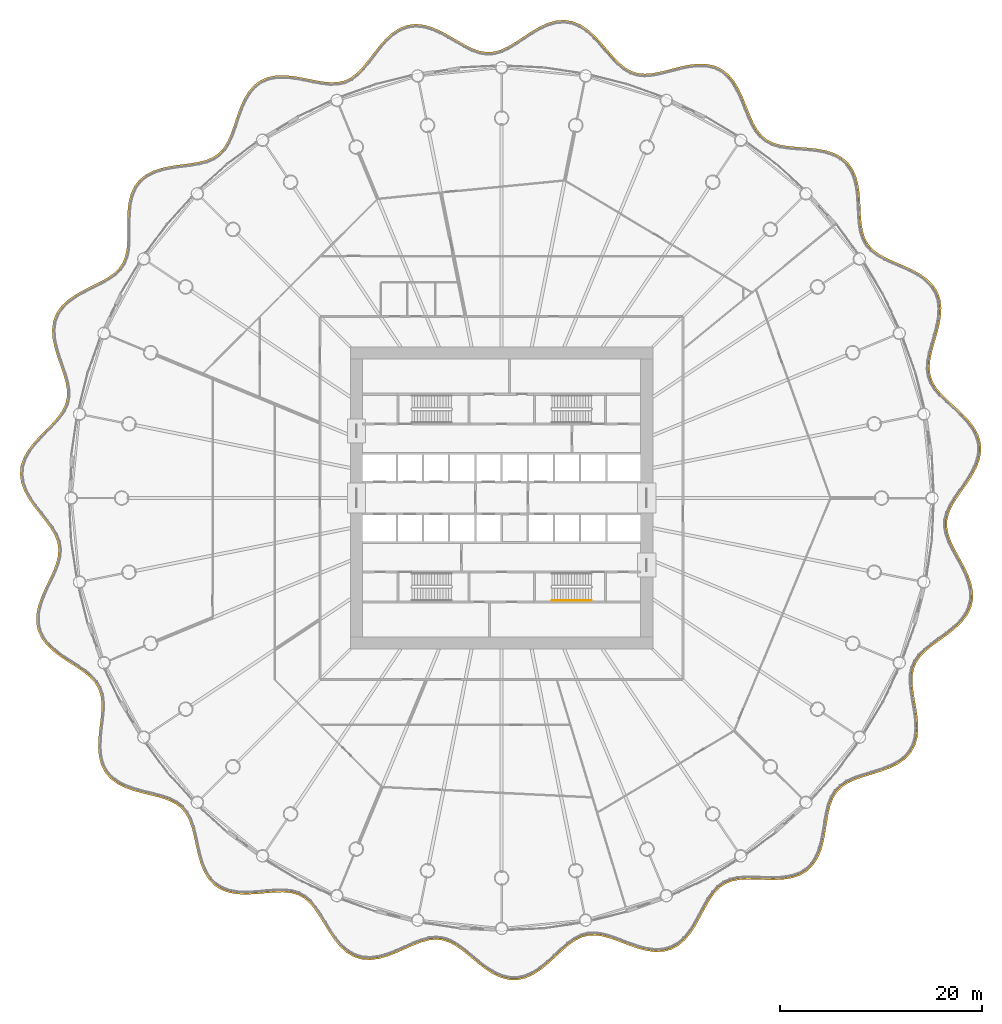
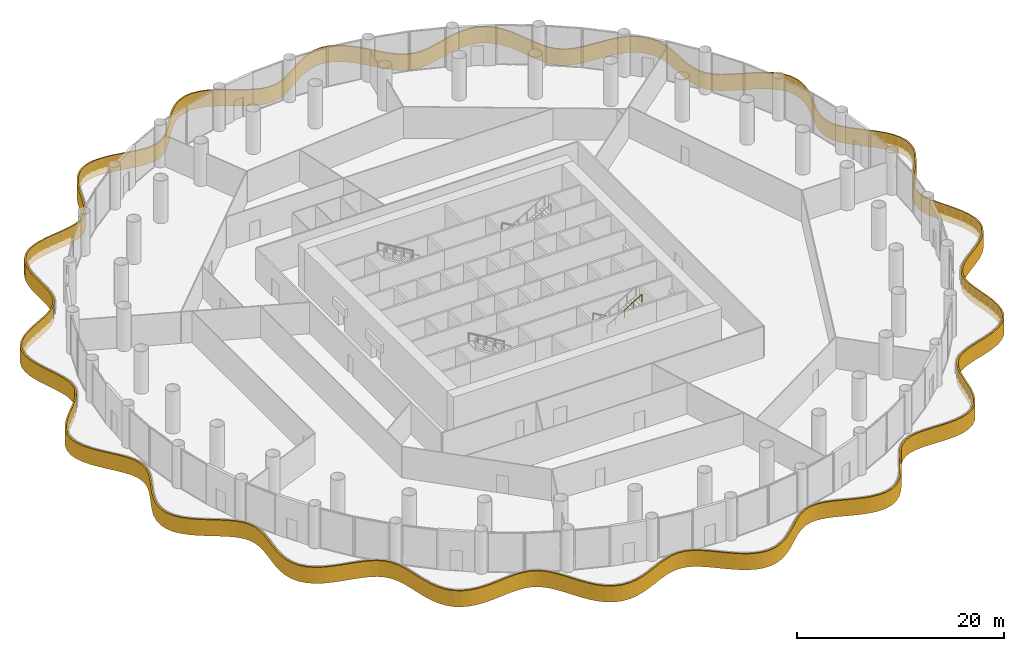
# One storey, part 31 of 35: 1 covering, 1 railing.
"""IFC4 building model written with IfcOpenShell, lengths in metres."""

import ifcopenshell
import ifcopenshell.guid

model = None  # the IFC model being written
_history = None  # IfcOwnerHistory: only IFC2X3 demands one
_inside = {}  # id of a spatial element -> (the spatial element, [elements in it])
_under = {}  # id of a project, library or spatial element -> (it, [spatial elements below it])
_declared = {}  # id of a project -> (the project, [libraries it declares])
_typed = {}  # id of a type object -> (the type object, [elements of that type])
_made_of = {}  # id of a material, layer set ... -> (it, [elements and type objects made of it])


def new_model(schema):
    """Start an empty IFC model of exactly this schema.

    Asked for "IFC4X3", IfcOpenShell would pick the latest addendum, in which some entities
    have other attributes; the version numbers below select the first issue.
    IFC2X3 requires an IfcOwnerHistory on every rooted entity: one is made here for all.
    """
    global model, _history
    if schema == "IFC4X3":
        model = ifcopenshell.file(schema_version=(4, 3, 0, 0))
    else:
        model = ifcopenshell.file(schema=schema)
    _inside.clear()
    _under.clear()
    _declared.clear()
    _typed.clear()
    _made_of.clear()
    _history = None
    if model.schema == "IFC2X3":
        org = make("IfcOrganization", Name="unknown")
        user = make(
            "IfcPersonAndOrganization",
            ThePerson=make("IfcPerson", FamilyName="unknown"),
            TheOrganization=org,
        )
        app = make(
            "IfcApplication",
            ApplicationDeveloper=org,
            Version="unknown",
            ApplicationFullName="unknown",
            ApplicationIdentifier="unknown",
        )
        _history = make(
            "IfcOwnerHistory",
            OwningUser=user,
            OwningApplication=app,
            ChangeAction="ADDED",
            CreationDate=0,
        )
    return model


def make(cls, **values):
    """One entity of the class cls with the attributes given. An attribute that is None is left unset."""
    return model.create_entity(
        cls, **{name: value for name, value in values.items() if value is not None}
    )


def rooted(cls, **values):
    """An entity with a GlobalId (a new one), such as an element, a storey or a relation."""
    return make(cls, GlobalId=ifcopenshell.guid.new(), OwnerHistory=_history, **values)


def si_unit(unit_type, name, prefix=None):
    """IfcSIUnit, for example si_unit("LENGTHUNIT", "METRE", prefix="MILLI")."""
    return make("IfcSIUnit", UnitType=unit_type, Prefix=prefix, Name=name)


def assignment(units):
    """IfcUnitAssignment: the units of a project."""
    return None if units is None else make("IfcUnitAssignment", Units=units)


def point(xyz):
    """IfcCartesianPoint."""
    return None if xyz is None else make("IfcCartesianPoint", Coordinates=xyz)


def direction(xyz):
    """IfcDirection."""
    return None if xyz is None else make("IfcDirection", DirectionRatios=xyz)


def frame(location, z_axis=None, x_axis=None):
    """IfcAxis2Placement3D, a coordinate frame: its origin and axes. An axis left out is left unset."""
    return make(
        "IfcAxis2Placement3D",
        Location=point(location),
        Axis=direction(z_axis),
        RefDirection=direction(x_axis),
    )


def frame_2d(location, x_axis=None):
    """IfcAxis2Placement2D, a coordinate frame in the plane: its origin and x axis."""
    return make(
        "IfcAxis2Placement2D", Location=point(location), RefDirection=direction(x_axis)
    )


def origin():
    """The frame at (0, 0, 0) with its axes left unset."""
    return frame((0.0, 0.0, 0.0))


def origin_2d():
    """The frame at (0, 0) in the plane with its x axis left unset."""
    return frame_2d((0.0, 0.0))


def place(relative_to, where):
    """IfcLocalPlacement: puts the frame where relative to a parent placement (None: the world)."""
    return make(
        "IfcLocalPlacement", PlacementRelTo=relative_to, RelativePlacement=where
    )


def context(
    kind, dimensions, precision=None, world=None, true_north=None, identifier=None
):
    """IfcGeometricRepresentationContext, for example the 3D "Model" context."""
    return make(
        "IfcGeometricRepresentationContext",
        ContextIdentifier=identifier,
        ContextType=kind,
        CoordinateSpaceDimension=dimensions,
        Precision=precision,
        WorldCoordinateSystem=world,
        TrueNorth=true_north,
    )


def subcontext(parent, identifier, kind, view, scale=None):
    """IfcGeometricRepresentationSubContext, for example "Body" below "Model"."""
    return make(
        "IfcGeometricRepresentationSubContext",
        ContextIdentifier=identifier,
        ContextType=kind,
        ParentContext=parent,
        TargetScale=scale,
        TargetView=view,
    )


def project(units=None, contexts=None):
    """IfcProject with its units and contexts."""
    return rooted(
        "IfcProject",
        Name="project",
        RepresentationContexts=contexts,
        UnitsInContext=assignment(units),
    )


def spatial(cls, under=None, at=None, **own):
    """A site, building, storey or space (cls), placed at a placement, below another one or the project."""
    s = rooted(cls, ObjectPlacement=at, **own)
    if under is not None:
        _under.setdefault(under.id(), (under, []))[1].append(s)
    return s


def polyline(points):
    """IfcPolyline through the points."""
    return make("IfcPolyline", Points=[point(p) for p in points])


def profile(cls, at=None, kind="AREA", **sizes):
    """A parametric profile (cls). Its sizes go by their IFC names, for example OverallWidth=200.0."""
    return make(cls, ProfileType=kind, Position=at, **sizes)


def circle(**sizes):
    """IfcCircleProfileDef."""
    return profile("IfcCircleProfileDef", **sizes)


def outline(outer, holes=None, kind="AREA"):
    """IfcArbitraryClosedProfileDef: a profile drawn as a closed curve; with holes, ...WithVoids."""
    if holes is None:
        return make("IfcArbitraryClosedProfileDef", ProfileType=kind, OuterCurve=outer)
    return make(
        "IfcArbitraryProfileDefWithVoids",
        ProfileType=kind,
        OuterCurve=outer,
        InnerCurves=holes,
    )


def extrude(swept, where, along, depth):
    """IfcExtrudedAreaSolid: the profile swept, set in the frame where, extruded along a direction by depth."""
    return make(
        "IfcExtrudedAreaSolid",
        SweptArea=swept,
        Position=where,
        ExtrudedDirection=direction(along),
        Depth=depth,
    )


def shape(context_of_items, identifier, shape_type, items):
    """IfcShapeRepresentation: the items that make up one representation, for example the "Body"."""
    return make(
        "IfcShapeRepresentation",
        ContextOfItems=context_of_items,
        RepresentationIdentifier=identifier,
        RepresentationType=shape_type,
        Items=items,
    )


def material(Name=None, Category=None):
    """IfcMaterial."""
    return make("IfcMaterial", Name=Name, Category=Category)


def layer(
    of_material, thickness, ventilated=None, Name=None, Category=None, Priority=None
):
    """IfcMaterialLayer: one layer of a wall or slab, of a material (None: an air gap)."""
    return make(
        "IfcMaterialLayer",
        Material=of_material,
        LayerThickness=thickness,
        IsVentilated=ventilated,
        Name=Name,
        Category=Category,
        Priority=Priority,
    )


def layer_set(layers, Name=None):
    """IfcMaterialLayerSet."""
    return make("IfcMaterialLayerSet", MaterialLayers=layers, LayerSetName=Name)


def made_of(thing, what):
    """Note that an element or type object is made of a material, layer set ...; save() writes the relation."""
    if what is not None:
        _made_of.setdefault(what.id(), (what, []))[1].append(thing)
    return thing


def type_object(cls, material=None, **own):
    """A type object (cls), such as IfcWallType, which elements share."""
    return made_of(rooted(cls, **own), material)


def element(
    cls,
    number,
    at=None,
    inside=None,
    cuts=None,
    type_object=None,
    material=None,
    context=None,
    identifier="Body",
    shape_type=None,
    held_by="IfcProductDefinitionShape",
    body=None,
    shapes=None,
    **own,
):
    """One element of the class cls, such as IfcWall. Its Tag is "e" and its number.

    at: its placement. inside: the storey or other place that contains it. cuts: it is an
    opening in that element (IfcRelVoidsElement). A single representation is given by context,
    identifier, shape_type and body (its items); several are given by shapes. held_by: the class
    of the entity that holds the representations. save() writes the other relations.
    """
    e = rooted(cls, Tag="e%d" % number, ObjectPlacement=at, **own)
    if body is not None:
        shapes = [shape(context, identifier, shape_type, body)]
    if shapes is not None:
        e.Representation = make(held_by, Representations=shapes)
    if inside is not None:
        _inside.setdefault(inside.id(), (inside, []))[1].append(e)
    if cuts is not None:
        rooted(
            "IfcRelVoidsElement", RelatingBuildingElement=cuts, RelatedOpeningElement=e
        )
    if type_object is not None:
        _typed.setdefault(type_object.id(), (type_object, []))[1].append(e)
    return made_of(e, material)


def aggregate(whole, parts):
    """IfcRelAggregates: a whole, such as a stair, and the parts it consists of."""
    return rooted("IfcRelAggregates", RelatingObject=whole, RelatedObjects=parts)


def save(model, path):
    """Write the relations noted so far, then the file.

    IfcRelAggregates (storeys below a building ...), IfcRelContainedInSpatialStructure (elements
    in a storey), IfcRelDefinesByType, IfcRelAssociatesMaterial and IfcRelDeclares: one each for
    every whole, place, type object, material and project.
    """
    for whole, parts in _under.values():
        aggregate(whole, parts)
    for where, things in _inside.values():
        rooted(
            "IfcRelContainedInSpatialStructure",
            RelatedElements=things,
            RelatingStructure=where,
        )
    for kind, things in _typed.values():
        rooted("IfcRelDefinesByType", RelatedObjects=things, RelatingType=kind)
    for what, things in _made_of.values():
        rooted("IfcRelAssociatesMaterial", RelatedObjects=things, RelatingMaterial=what)
    for by, libraries in _declared.values():
        rooted("IfcRelDeclares", RelatingContext=by, RelatedDefinitions=libraries)
    model.write(path)


model = new_model("IFC4")

# Units and contexts
model_context = context("Model", 3, precision=1e-05, world=origin(), true_north=direction((0.0, 1.0)))
body_context = subcontext(model_context, "Body", "Model", "MODEL_VIEW")
ifc_project = project(units=[si_unit("LENGTHUNIT", "METRE"), si_unit("AREAUNIT", "SQUARE_METRE"), si_unit("VOLUMEUNIT", "CUBIC_METRE"), si_unit("PLANEANGLEUNIT", "RADIAN"), si_unit("MASSUNIT", "GRAM", prefix="KILO")], contexts=[model_context])

# Site, building, storey
site_placement = place(None, origin())
site = spatial("IfcSite", under=ifc_project, at=site_placement, CompositionType="ELEMENT")
building_placement = place(site_placement, origin())
building = spatial("IfcBuilding", under=site, at=building_placement, Name="Corvane Civic Tower", CompositionType="ELEMENT")
storey_placement = place(building_placement, frame((0.0, 0.0, 27.0)))
storey = spatial("IfcBuildingStorey", under=building, at=storey_placement, Name="L05", CompositionType="ELEMENT", Elevation=27.0)

# Covering
ifc_material_1 = material(Name="Anodised aluminium umber", Category="aluminium")
ifc_layer = layer(ifc_material_1, 0.159912109375)
ifc_layer_set = layer_set([ifc_layer], Name="Anodised aluminium umber")
covering_type = type_object("IfcCoveringType", Name="PODIUM-COV-FASCIA-L05", PredefinedType="CLADDING", material=ifc_layer_set)
covering_placement = place(storey_placement, frame((0.0, 0.0, -0.800048828125)))
element("IfcCovering", 1, at=covering_placement, inside=storey, type_object=covering_type, Name="L05 ribbon fascia", PredefinedType="CLADDING", context=body_context, shape_type="SweptSolid", body=[
    extrude(outline(polyline([(0.65576171875, 44.82666015625), (-0.056396484375, 44.4912109375), (-0.75, 44.293212890625), (-1.4365234375, 44.245849609375), (-2.1328125, 44.351318359375), (-2.85205078125, 44.599609375), (-3.600341796875, 44.9658203125), (-4.378662109375, 45.41064453125), (-5.183837890625, 45.884521484375), (-6.010498046875, 46.333984375), (-6.8505859375, 46.705810546875), (-7.695068359375, 46.952880859375), (-8.531494140625, 47.03759765625), (-9.34375, 46.936279296875), (-10.115478515625, 46.6455078125), (-10.836181640625, 46.18359375), (-11.50341796875, 45.583740234375), (-12.123291015625, 44.888671875), (-12.705810546875, 44.148681640625), (-13.265380859375, 43.416259765625), (-13.818115234375, 42.7412109375), (-14.37890625, 42.167236328125), (-14.9638671875, 41.724609375), (-15.587646484375, 41.426513671875), (-16.2666015625, 41.27099609375), (-17.01318359375, 41.246826171875), (-17.826416015625, 41.33154296875), (-18.697021484375, 41.489990234375), (-19.607177734375, 41.677001953125), (-20.5341796875, 41.84375), (-21.45458984375, 41.942626953125), (-22.343017578125, 41.930419921875), (-23.17578125, 41.772705078125), (-23.9306640625, 41.448974609375), (-24.588134765625, 40.957275390625), (-25.141357421875, 40.314697265625), (-25.59619140625, 39.551513671875), (-25.970703125, 38.705078125), (-26.28955078125, 37.818603515625), (-26.58251953125, 36.937255859375), (-26.881103515625, 36.10400390625), (-27.21435546875, 35.357177734375), (-27.6083984375, 34.722900390625), (-28.08251953125, 34.21240234375), (-28.652587890625, 33.8212890625), (-29.328369140625, 33.536376953125), (-30.105712890625, 33.337158203125), (-30.966552734375, 33.1962890625), (-31.881103515625, 33.077880859375), (-32.8134765625, 32.943359375), (-33.72509765625, 32.75390625), (-34.578369140625, 32.476318359375), (-35.33837890625, 32.0830078125), (-35.97607421875, 31.559814453125), (-36.4697265625, 30.906982421875), (-36.814697265625, 30.140625), (-37.02294921875, 29.28564453125), (-37.12109375, 28.372314453125), (-37.1455078125, 27.431640625), (-37.137451171875, 26.497314453125), (-37.14111328125, 25.600830078125), (-37.1982421875, 24.76953125), (-37.3427734375, 24.022705078125), (-37.599853515625, 23.3671875), (-37.98388671875, 22.796142578125), (-38.502685546875, 22.294677734375), (-39.14892578125, 21.84521484375), (-39.8994140625, 21.428466796875), (-40.717529296875, 21.02099609375), (-41.55712890625, 20.597412109375), (-42.36962890625, 20.133544921875), (-43.10791015625, 19.608642578125), (-43.72900390625, 19.007568359375), (-44.197509765625, 18.322998046875), (-44.49072265625, 17.559814453125), (-44.6044921875, 16.73388671875), (-44.5546875, 15.864501953125), (-44.373291015625, 14.970947265625), (-44.103515625, 14.072509765625), (-43.794189453125, 13.1865234375), (-43.49755859375, 12.329345703125), (-43.262939453125, 11.514404296875), (-43.131103515625, 10.75), (-43.13134765625, 10.036865234375), (-43.277587890625, 9.365234375), (-43.574462890625, 8.718994140625), (-44.0126953125, 8.08349609375), (-44.5673828125, 7.447021484375), (-45.19873046875, 6.7998046875), (-45.856689453125, 6.131591796875), (-46.487060546875, 5.435791015625), (-47.0380859375, 4.707275390625), (-47.4619140625, 3.94384765625), (-47.72119140625, 3.149658203125), (-47.7919921875, 2.3349609375), (-47.669921875, 1.515625), (-47.373291015625, 0.7060546875), (-46.93603515625, -0.084716796875), (-46.40283203125, -0.852294921875), (-45.824951171875, -1.5947265625), (-45.25732421875, -2.313720703125), (-44.751708984375, -3.01171875), (-44.352294921875, -3.694580078125), (-44.089599609375, -4.36962890625), (-43.977783203125, -5.04931640625), (-44.017578125, -5.750244140625), (-44.198486328125, -6.4853515625), (-44.49658203125, -7.259521484375), (-44.872802734375, -8.0703125), (-45.27880859375, -8.91015625), (-45.660888671875, -9.7705078125), (-45.96728515625, -10.638671875), (-46.151611328125, -11.501220703125), (-46.17578125, -12.343017578125), (-46.017822265625, -13.146728515625), (-45.673828125, -13.895263671875), (-45.162109375, -14.57861328125), (-44.51513671875, -15.197265625), (-43.77490234375, -15.760009765625), (-42.990478515625, -16.281494140625), (-42.212158203125, -16.77978515625), (-41.48974609375, -17.27392578125), (-40.865478515625, -17.784423828125), (-40.36865234375, -18.32861328125), (-40.0126953125, -18.92236328125), (-39.79443359375, -19.58251953125), (-39.702880859375, -20.320068359375), (-39.71533203125, -21.134033203125), (-39.798583984375, -22.011962890625), (-39.909423828125, -22.9326171875), (-40.001708984375, -23.8701171875), (-40.02880859375, -24.796875), (-39.949951171875, -25.68408203125), (-39.73193359375, -26.50537109375), (-39.35546875, -27.236083984375), (-38.8193359375, -27.85693359375), (-38.14013671875, -28.361328125), (-37.3466796875, -28.756591796875), (-36.475341796875, -29.06396484375), (-35.56640625, -29.31103515625), (-34.662353515625, -29.530517578125), (-33.80419921875, -29.7578125), (-33.02734375, -30.025390625), (-32.3564453125, -30.361572265625), (-31.802490234375, -30.78662109375), (-31.360107421875, -31.316650390625), (-31.015380859375, -31.96044921875), (-30.74951171875, -32.713623046875), (-30.5361328125, -33.555908203125), (-30.342529296875, -34.45556640625), (-30.13330078125, -35.37353515625), (-29.872802734375, -36.26904296875), (-29.530517578125, -37.100830078125), (-29.082275390625, -37.83203125), (-28.5146484375, -38.431884765625), (-27.828857421875, -38.878662109375), (-27.041259765625, -39.1669921875), (-26.17578125, -39.31103515625), (-25.2587890625, -39.33837890625), (-24.320068359375, -39.287841796875), (-23.38818359375, -39.203125), (-22.4921875, -39.131103515625), (-21.6552734375, -39.115234375), (-20.89453125, -39.19189453125), (-20.2158203125, -39.386962890625), (-19.611572265625, -39.715576171875), (-19.06640625, -40.18359375), (-18.563720703125, -40.7841796875), (-18.085205078125, -41.493408203125), (-17.612060546875, -42.272216796875), (-17.121826171875, -43.07421875), (-16.59521484375, -43.8486328125), (-16.014404296875, -44.54638671875), (-15.367431640625, -45.122802734375), (-14.650390625, -45.542236328125), (-13.86865234375, -45.781494140625), (-13.0380859375, -45.8359375), (-12.1767578125, -45.722412109375), (-11.301513671875, -45.47412109375), (-10.427978515625, -45.13427734375), (-9.5693359375, -44.753662109375), (-8.738037109375, -44.38525390625), (-7.943115234375, -44.079345703125), (-7.18994140625, -43.87890625), (-6.477294921875, -43.812255859375), (-5.794921875, -43.894775390625), (-5.126220703125, -44.12890625), (-4.456787109375, -44.50634765625), (-3.777587890625, -45.00146484375), (-3.0810546875, -45.57470703125), (-2.3623046875, -46.175048828125), (-1.618408203125, -46.748779296875), (-0.847900390625, -47.2431640625), (-0.053466796875, -47.6103515625), (0.7587890625, -47.812744140625), (1.57666015625, -47.826171875), (2.384033203125, -47.646728515625), (3.16796875, -47.292724609375), (3.92138671875, -46.7978515625), (4.643798828125, -46.206787109375), (5.337646484375, -45.570556640625), (6.008056640625, -44.943359375), (6.662841796875, -44.377197265625), (7.310791015625, -43.91650390625), (7.9609375, -43.59130859375), (8.6279296875, -43.41552734375), (9.32763671875, -43.3896484375), (10.07275390625, -43.502685546875), (10.8662109375, -43.730712890625), (11.703125, -44.035888671875), (12.572509765625, -44.370849609375), (13.460693359375, -44.68310546875), (14.3515625, -44.92236328125), (15.227783203125, -45.041748046875), (16.071044921875, -45.005615234375), (16.8623046875, -44.791259765625), (17.583984375, -44.39599609375), (18.226806640625, -43.83740234375), (18.793701171875, -43.1474609375), (19.29638671875, -42.366943359375), (19.7529296875, -41.542724609375), (20.185546875, -40.72412109375), (20.617919921875, -39.95947265625), (21.073486328125, -39.289306640625), (21.57177734375, -38.7421875), (22.130615234375, -38.3310546875), (22.76611328125, -38.052734375), (23.48876953125, -37.89453125), (24.296875, -37.835205078125), (25.175537109375, -37.84326171875), (26.1005859375, -37.877685546875), (27.04248046875, -37.894287109375), (27.969970703125, -37.849365234375), (28.850830078125, -37.70361328125), (29.65625, -37.42578125), (30.359375, -36.998779296875), (30.9404296875, -36.420654296875), (31.393310546875, -35.70849609375), (31.727783203125, -34.889892578125), (31.96630859375, -33.9990234375), (32.139892578125, -33.073486328125), (32.284423828125, -32.153076171875), (32.438720703125, -31.275634765625), (32.637939453125, -30.474609375), (32.912841796875, -29.772705078125), (33.284912109375, -29.1796875), (33.770751953125, -28.690185546875), (34.37744140625, -28.289306640625), (35.100341796875, -27.958984375), (35.91796875, -27.6748046875), (36.79638671875, -27.40771484375), (37.694091796875, -27.125), (38.5673828125, -26.795166015625), (39.372802734375, -26.3896484375), (40.0712890625, -25.88818359375), (40.630126953125, -25.278564453125), (41.027587890625, -24.563720703125), (41.258544921875, -23.759033203125), (41.337646484375, -22.88720703125), (41.294921875, -21.972900390625), (41.169921875, -21.04150390625), (41.00927734375, -20.118896484375), (40.861083984375, -19.229248046875), (40.772216796875, -18.393310546875), (40.780029296875, -17.625), (40.911376953125, -16.92919921875), (41.18115234375, -16.296630859375), (41.59521484375, -15.712646484375), (42.1455078125, -15.160400390625), (42.8076171875, -14.625), (43.54248046875, -14.089599609375), (44.301513671875, -13.536376953125), (45.032470703125, -12.949462890625), (45.685302734375, -12.31591796875), (46.214111328125, -11.626708984375), (46.58203125, -10.88037109375), (46.76611328125, -10.083740234375), (46.76123046875, -9.252685546875), (46.58544921875, -8.404296875), (46.271484375, -7.552490234375), (45.8642578125, -6.708984375), (45.414794921875, -5.8837890625), (44.976806640625, -5.084228515625), (44.601806640625, -4.315673828125), (44.333251953125, -3.579833984375), (44.200439453125, -2.87353515625), (44.218017578125, -2.186279296875), (44.388671875, -1.500732421875), (44.702392578125, -0.8037109375), (45.134521484375, -0.0869140625), (45.64501953125, 0.6533203125), (46.18408203125, 1.417724609375), (46.697509765625, 2.20556640625), (47.132080078125, 3.01318359375), (47.440185546875, 3.8349609375), (47.584228515625, 4.661376953125), (47.540283203125, 5.478271484375), (47.3046875, 6.27001953125), (46.8955078125, 7.023681640625), (46.34619140625, 7.736328125), (45.701171875, 8.4091796875), (45.0107421875, 9.049560546875), (44.32861328125, 9.6669921875), (43.705810546875, 10.273193359375), (43.186279296875, 10.8798828125), (42.801025390625, 11.500244140625), (42.563232421875, 12.148193359375), (42.47216796875, 12.8408203125), (42.5166015625, 13.589599609375), (42.673095703125, 14.396484375), (42.905517578125, 15.253173828125), (43.167236328125, 16.14599609375), (43.407958984375, 17.056640625), (43.57763671875, 17.965087890625), (43.631591796875, 18.849853515625), (43.53466796875, 19.68994140625), (43.264892578125, 20.46484375), (42.8203125, 21.156005859375), (42.218017578125, 21.755615234375), (41.489013671875, 22.267578125), (40.673095703125, 22.70751953125), (39.81494140625, 23.096435546875), (38.962158203125, 23.460693359375), (38.160400390625, 23.827392578125), (37.44921875, 24.2236328125), (36.856201171875, 24.671875), (36.393310546875, 25.190673828125), (36.05712890625, 25.796142578125), (35.83447265625, 26.498291015625), (35.70458984375, 27.294189453125), (35.637451171875, 28.1669921875), (35.59521484375, 29.090087890625), (35.536376953125, 30.0302734375), (35.418701171875, 30.952392578125), (35.206787109375, 31.822265625), (34.87060546875, 32.607177734375), (34.394287109375, 33.279296875), (33.77734375, 33.81787109375), (33.0361328125, 34.2177734375), (32.197021484375, 34.489501953125), (31.2919921875, 34.658203125), (30.35595703125, 34.75732421875), (29.42529296875, 34.825927734375), (28.53515625, 34.9052734375), (27.7158203125, 35.0341796875), (26.988525390625, 35.2451171875), (26.36181640625, 35.561279296875), (25.8291015625, 35.997802734375), (25.3759765625, 36.56298828125), (24.984130859375, 37.250244140625), (24.63232421875, 38.037109375), (24.293701171875, 38.88818359375), (23.939208984375, 39.760009765625), (23.541259765625, 40.605712890625), (23.074951171875, 41.379638671875), (22.522216796875, 42.041259765625), (21.87353515625, 42.556396484375), (21.1328125, 42.902587890625), (20.3154296875, 43.0751953125), (19.442626953125, 43.089599609375), (18.535888671875, 42.97705078125), (17.617919921875, 42.77880859375), (16.710693359375, 42.543212890625), (15.834228515625, 42.3203125), (15.005615234375, 42.15771484375), (14.236083984375, 42.095947265625), (13.528564453125, 42.162109375), (12.873779296875, 42.371337890625), (12.255859375, 42.727783203125), (11.659423828125, 43.22412109375), (11.071044921875, 43.83447265625), (10.477294921875, 44.52001953125), (9.86474609375, 45.23095703125), (9.22119140625, 45.913818359375), (8.538330078125, 46.517578125), (7.810302734375, 46.99560546875), (7.0380859375, 47.310302734375), (6.230712890625, 47.4375), (5.4033203125, 47.3740234375), (4.572021484375, 47.136962890625), (3.748779296875, 46.760009765625), (2.940673828125, 46.2880859375), (2.154296875, 45.772705078125), (1.39208984375, 45.268310546875), (0.65576171875, 44.82666015625)]), holes=[polyline([(-0.72216796875, 44.134765625), (0.0, 44.341064453125), (0.731201171875, 44.685302734375), (1.4775390625, 45.133056640625), (2.2421875, 45.63916015625), (3.02490234375, 46.152099609375), (3.822509765625, 46.617919921875), (4.627685546875, 46.986328125), (5.431640625, 47.2158203125), (6.22412109375, 47.276611328125), (6.994873046875, 47.155029296875), (7.735595703125, 46.853271484375), (8.44091796875, 46.39013671875), (9.10986328125, 45.798828125), (9.745849609375, 45.123779296875), (10.356201171875, 44.415283203125), (10.952880859375, 43.7265625), (11.55029296875, 43.106689453125), (12.1640625, 42.59619140625), (12.80859375, 42.22412109375), (13.496337890625, 42.00439453125), (14.235107421875, 41.935302734375), (15.027587890625, 41.9990234375), (15.869384765625, 42.1640625), (16.75048828125, 42.38818359375), (17.655029296875, 42.623046875), (18.562744140625, 42.819091796875), (19.451171875, 42.929443359375), (20.29736328125, 42.91552734375), (21.081787109375, 42.749755859375), (21.788818359375, 42.41943359375), (22.409912109375, 41.926025390625), (22.9443359375, 41.28662109375), (23.39990234375, 40.530029296875), (23.792724609375, 39.69580078125), (24.145263671875, 38.82861328125), (24.48486328125, 37.974853515625), (24.84130859375, 37.177734375), (25.2431640625, 36.47265625), (25.714599609375, 35.884765625), (26.27392578125, 35.42626953125), (26.9296875, 35.095703125), (27.680908203125, 34.877685546875), (28.515625, 34.746337890625), (29.412353515625, 34.66650390625), (30.341552734375, 34.597900390625), (31.268798828125, 34.499755859375), (32.157470703125, 34.334228515625), (32.972900390625, 34.070068359375), (33.685546875, 33.685546875), (34.27490234375, 33.171142578125), (34.730224609375, 32.528564453125), (35.054443359375, 31.771484375), (35.26123046875, 30.92333984375), (35.376953125, 30.01513671875), (35.435546875, 29.081298828125), (35.477783203125, 28.1572265625), (35.545654296875, 27.275146484375), (35.678466796875, 26.4609375), (35.909423828125, 25.732421875), (36.26220703125, 25.097412109375), (36.747314453125, 24.5537109375), (37.361572265625, 24.08935546875), (38.088134765625, 23.6845703125), (38.8974609375, 23.314208984375), (39.75048828125, 22.949951171875), (40.60205078125, 22.56396484375), (41.40478515625, 22.13134765625), (42.11474609375, 21.632568359375), (42.695068359375, 21.054931640625), (43.1201171875, 20.394287109375), (43.377685546875, 19.654052734375), (43.470947265625, 18.845458984375), (43.41845703125, 17.984619140625), (43.251708984375, 17.091796875), (43.01318359375, 16.18896484375), (42.75146484375, 15.296630859375), (42.51708984375, 14.4326171875), (42.357421875, 13.609619140625), (42.3115234375, 12.8349609375), (42.406982421875, 12.10986328125), (42.656494140625, 11.4296875), (43.056884765625, 10.78515625), (43.5888671875, 10.16357421875), (44.218994140625, 9.55029296875), (44.902587890625, 8.931640625), (45.5888671875, 8.295166015625), (46.224853515625, 7.6318359375), (46.760986328125, 6.936279296875), (47.156005859375, 6.208251953125), (47.381591796875, 5.45068359375), (47.423583984375, 4.6708984375), (47.28515625, 3.877197265625), (46.986083984375, 3.07958984375), (46.559814453125, 2.287353515625), (46.0517578125, 1.507568359375), (45.513916015625, 0.744873046875), (45.0, 0.0), (44.560302734375, -0.729248046875), (44.23681640625, -1.4482421875), (44.05859375, -2.16455078125), (44.0400390625, -2.886474609375), (44.178466796875, -3.622314453125), (44.454345703125, -4.37841796875), (44.834716796875, -5.15771484375), (45.2744140625, -5.96044921875), (45.721923828125, -6.7822265625), (46.1240234375, -7.615234375), (46.43115234375, -8.448486328125), (46.601318359375, -9.26953125), (46.60595703125, -10.06591796875), (46.430419921875, -10.826171875), (46.07763671875, -11.541748046875), (45.5654296875, -12.209228515625), (44.926513671875, -12.829345703125), (44.2041015625, -13.4091796875), (43.4482421875, -13.960205078125), (42.710205078125, -14.498046875), (42.038330078125, -15.04150390625), (41.472412109375, -15.609130859375), (41.040771484375, -16.218017578125), (40.75732421875, -16.88232421875), (40.6201171875, -17.609375), (40.612060546875, -18.401123046875), (40.70263671875, -19.2509765625), (40.8515625, -20.145751953125), (41.01171875, -21.06591796875), (41.13525390625, -21.9873046875), (41.17724609375, -22.8837890625), (41.1005859375, -23.7294921875), (40.87890625, -24.501953125), (40.49951171875, -25.184326171875), (39.964599609375, -25.767822265625), (39.289794921875, -26.25244140625), (38.5029296875, -26.6484375), (37.641845703125, -26.973876953125), (36.7490234375, -27.2548828125), (35.868408203125, -27.522705078125), (35.040771484375, -27.810302734375), (34.299560546875, -28.14892578125), (33.668701171875, -28.565673828125), (33.158935546875, -29.07958984375), (32.769287109375, -29.700439453125), (32.485107421875, -30.42578125), (32.281982421875, -31.242431640625), (32.126708984375, -32.126708984375), (31.982177734375, -33.04638671875), (31.810302734375, -33.963623046875), (31.575927734375, -34.8388671875), (31.250732421875, -35.634765625), (30.81494140625, -36.31982421875), (30.260009765625, -36.871826171875), (29.587890625, -37.2802734375), (28.8115234375, -37.5478515625), (27.952880859375, -37.68994140625), (27.0400390625, -37.734375), (26.10498046875, -37.7177734375), (25.17919921875, -37.683349609375), (24.291748046875, -37.67529296875), (23.465576171875, -37.73583984375), (22.71630859375, -37.89990234375), (22.050048828125, -38.191650390625), (21.464111328125, -38.622802734375), (20.947509765625, -39.18994140625), (20.48193359375, -39.875), (20.045166015625, -40.6474609375), (19.6123046875, -41.466552734375), (19.158935546875, -42.28466796875), (18.6640625, -43.052978515625), (18.111572265625, -43.725341796875), (17.491943359375, -44.263916015625), (16.802001953125, -44.641845703125), (16.04638671875, -44.846435546875), (15.235107421875, -44.88134765625), (14.38330078125, -44.76513671875), (13.508056640625, -44.5302734375), (12.6279296875, -44.220703125), (11.75927734375, -43.885986328125), (10.915771484375, -43.578369140625), (10.10693359375, -43.345947265625), (9.336669921875, -43.229248046875), (8.604248046875, -43.25634765625), (7.904296875, -43.440673828125), (7.22802734375, -43.77880859375), (6.56396484375, -44.251220703125), (5.901123046875, -44.824462890625), (5.22900390625, -45.453125), (4.5390625, -46.085693359375), (3.82666015625, -46.668701171875), (3.090576171875, -47.152099609375), (2.333251953125, -47.494140625), (1.560302734375, -47.665771484375), (0.77978515625, -47.653076171875), (0.0, -47.458740234375), (-0.770751953125, -47.1025390625), (-1.526123046875, -46.617919921875), (-2.26220703125, -46.05029296875), (-2.97900390625, -45.451416015625), (-3.679443359375, -44.875), (-4.3701171875, -44.37158203125), (-5.059814453125, -43.982666015625), (-5.75830078125, -43.738037109375), (-6.47509765625, -43.6513671875), (-7.21826171875, -43.720703125), (-7.99267578125, -43.927001953125), (-8.79931640625, -44.2373046875), (-9.63427734375, -44.607421875), (-10.489501953125, -44.986572265625), (-11.3525390625, -45.322265625), (-12.209228515625, -45.5654296875), (-13.043212890625, -45.67529296875), (-13.839599609375, -45.623046875), (-14.585693359375, -45.394775390625), (-15.27294921875, -44.99267578125), (-15.89892578125, -44.434814453125), (-16.46728515625, -43.752197265625), (-16.9873046875, -42.987548828125), (-17.475341796875, -42.18896484375), (-17.950439453125, -41.406982421875), (-18.435546875, -40.687744140625), (-18.9521484375, -40.07080078125), (-19.520263671875, -39.5830078125), (-20.15478515625, -39.238037109375), (-20.8642578125, -39.0341796875), (-21.648681640625, -38.955078125), (-22.5, -38.97119140625), (-23.40185546875, -39.043701171875), (-24.33154296875, -39.128173828125), (-25.2607421875, -39.17822265625), (-26.16015625, -39.1513671875), (-27.000244140625, -39.01171875), (-27.7568359375, -38.734619140625), (-28.411376953125, -38.30810546875), (-28.95458984375, -37.734130859375), (-29.387451171875, -37.028076171875), (-29.7216796875, -36.216064453125), (-29.978271484375, -35.33349609375), (-30.186279296875, -34.4208984375), (-30.38037109375, -33.51953125), (-30.59619140625, -32.667236328125), (-30.86865234375, -31.895751953125), (-31.226806640625, -31.226806640625), (-31.69091796875, -30.67041015625), (-32.271240234375, -30.225341796875), (-32.965087890625, -29.877685546875), (-33.757568359375, -29.6044921875), (-34.623046875, -29.37548828125), (-35.526611328125, -29.156005859375), (-36.427734375, -28.9111328125), (-37.2841796875, -28.609130859375), (-38.05615234375, -28.224365234375), (-38.709716796875, -27.739013671875), (-39.221923828125, -27.14599609375), (-39.581787109375, -26.447509765625), (-39.791748046875, -25.65625), (-39.86865234375, -24.7919921875), (-39.842041015625, -23.88037109375), (-39.75048828125, -22.949951171875), (-39.639404296875, -22.029052734375), (-39.555419921875, -21.142822265625), (-39.542724609375, -20.311279296875), (-39.6376953125, -19.547119140625), (-39.8662109375, -18.855224609375), (-40.23974609375, -18.232421875), (-40.755126953125, -17.66796875), (-41.393798828125, -17.145751953125), (-42.123779296875, -16.646240234375), (-42.903076171875, -16.1474609375), (-43.68212890625, -15.629638671875), (-44.4111328125, -15.075439453125), (-45.0419921875, -14.47216796875), (-45.53564453125, -13.81298828125), (-45.864501953125, -13.09716796875), (-46.015380859375, -12.329833984375), (-45.991943359375, -11.520263671875), (-45.81298828125, -10.68212890625), (-45.51220703125, -9.82958984375), (-45.133544921875, -8.9775390625), (-44.728271484375, -8.138671875), (-44.34912109375, -7.322021484375), (-44.04541015625, -6.533447265625), (-43.858642578125, -5.774169921875), (-43.817138671875, -5.040771484375), (-43.934326171875, -4.3271484375), (-44.207763671875, -3.624755859375), (-44.617431640625, -2.92431640625), (-45.129638671875, -2.217041015625), (-45.698974609375, -1.49609375), (-46.27392578125, -0.75732421875), (-46.800048828125, 0.0), (-47.227294921875, 0.772705078125), (-47.51416015625, 1.555419921875), (-47.630859375, 2.33984375), (-47.5634765625, 3.117431640625), (-47.314697265625, 3.879638671875), (-46.903564453125, 4.61962890625), (-46.36376953125, 5.333740234375), (-45.740234375, 6.021728515625), (-45.08447265625, 6.687744140625), (-44.44970703125, 7.338623046875), (-43.885986328125, 7.9853515625), (-43.434814453125, 8.6396484375), (-43.125, 9.314208984375), (-42.971435546875, 10.01953125), (-42.97119140625, 10.763671875), (-43.106689453125, 11.55029296875), (-43.344970703125, 12.377685546875), (-43.64306640625, 13.239013671875), (-43.951171875, 14.121826171875), (-44.218017578125, 15.010009765625), (-44.3955078125, 15.885009765625), (-44.44384765625, 16.7275390625), (-44.334716796875, 17.519775390625), (-44.054931640625, 18.248046875), (-43.60595703125, 18.90380859375), (-43.00537109375, 19.4853515625), (-42.283447265625, 19.99853515625), (-41.4814453125, 20.456298828125), (-40.645751953125, 20.8779296875), (-39.824951171875, 21.286865234375), (-39.064208984375, 21.709228515625), (-38.400634765625, 22.170654296875), (-37.860595703125, 22.69287109375), (-37.457275390625, 23.29248046875), (-37.1884765625, 23.977783203125), (-37.039306640625, 24.748779296875), (-36.981201171875, 25.594970703125), (-36.9775390625, 26.49755859375), (-36.9853515625, 27.43017578125), (-36.96142578125, 28.361572265625), (-36.864990234375, 29.258056640625), (-36.662841796875, 30.08837890625), (-36.331298828125, 30.824951171875), (-35.85986328125, 31.4482421875), (-35.25, 31.94873046875), (-34.516357421875, 32.328125), (-33.683837890625, 32.59912109375), (-32.78564453125, 32.78564453125), (-31.859375, 32.91943359375), (-30.943359375, 33.0380859375), (-30.072998046875, 33.180419921875), (-29.277099609375, 33.38427734375), (-28.575439453125, 33.68017578125), (-27.977294921875, 34.090576171875), (-27.480712890625, 34.625244140625), (-27.07275390625, 35.281982421875), (-26.732421875, 36.04443359375), (-26.431396484375, 36.885009765625), (-26.138427734375, 37.766357421875), (-25.822021484375, 38.6455078125), (-25.453857421875, 39.477783203125), (-25.010986328125, 40.220947265625), (-24.478271484375, 40.839599609375), (-23.85009765625, 41.309326171875), (-23.12890625, 41.61865234375), (-22.326904296875, 41.7705078125), (-21.4619140625, 41.782470703125), (-20.556884765625, 41.685302734375), (-19.637451171875, 41.519775390625), (-18.7275390625, 41.332763671875), (-17.84912109375, 41.173095703125), (-17.018798828125, 41.086669921875), (-16.24609375, 41.111572265625), (-15.53466796875, 41.2744140625), (-14.880126953125, 41.587158203125), (-14.27294921875, 42.046875), (-13.69873046875, 42.63427734375), (-13.139892578125, 43.31689453125), (-12.579345703125, 44.05078125), (-12.00048828125, 44.785888671875), (-11.389892578125, 45.470703125), (-10.73876953125, 46.055908203125), (-10.04345703125, 46.501708984375), (-9.30517578125, 46.77978515625), (-8.529541015625, 46.87646484375), (-7.725830078125, 46.795166015625), (-6.90576171875, 46.55517578125), (-6.0810546875, 46.190185546875), (-5.2626953125, 45.745361328125), (-4.458984375, 45.272216796875), (-3.67529296875, 44.82421875), (-2.91357421875, 44.451416015625), (-2.171142578125, 44.1953125), (-1.443115234375, 44.0849609375), (-0.72216796875, 44.134765625)])]), origin(), (0.0, 0.0, 1.0), 1.900146484375),
])

# Railing
ifc_material_2 = material(Name="Steel ASTM A572 Gr 50", Category="steel")
railing_type = type_object("IfcRailingType", Name="ST-HANDRAIL-900", PredefinedType="HANDRAIL", material=ifc_material_2)
railing_placement = place(storey_placement, frame((4.97998046875, -10.14990234375, 2.666748046875)))
element("IfcRailing", 2, at=railing_placement, inside=storey, type_object=railing_type, Name="L05 ST2 stair handrail 2", PredefinedType="HANDRAIL", context=body_context, shape_type="SweptSolid", body=[
    extrude(circle(Radius=0.02392578125, at=origin_2d()), frame((0.0, 0.0, 0.8759765625), z_axis=(0.859296244711, 0.0, 0.511478214419), x_axis=(0.0, 1.0, 0.0)), (0.0, 0.0, 1.0), 4.561767578125),
    extrude(circle(Radius=0.02099609375, at=origin_2d()), origin(), (0.0, 0.0, 1.0), 0.851806640625),
    extrude(circle(Radius=0.02099609375, at=origin_2d()), frame((0.97998046875, 0.0, 0.583251953125)), (0.0, 0.0, 1.0), 0.851806640625),
    extrude(circle(Radius=0.02099609375, at=origin_2d()), frame((1.9599609375, 0.0, 1.16650390625)), (0.0, 0.0, 1.0), 0.851806640625),
    extrude(circle(Radius=0.02099609375, at=origin_2d()), frame((2.93994140625, 0.0, 1.75)), (0.0, 0.0, 1.0), 0.851806640625),
    extrude(circle(Radius=0.02099609375, at=origin_2d()), frame((3.919921875, 0.0, 2.333251953125)), (0.0, 0.0, 1.0), 0.851806640625),
])

save(model, "model.ifc")
